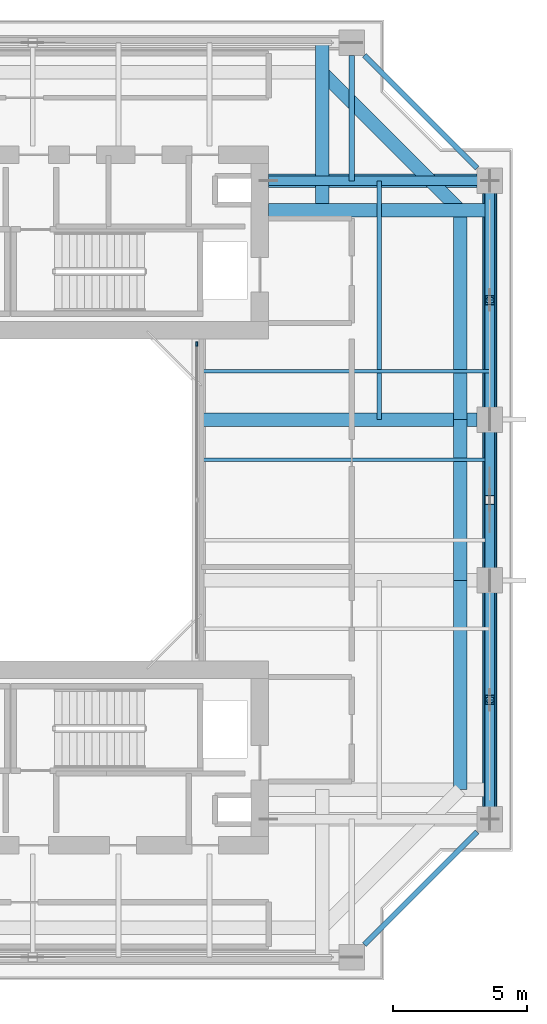
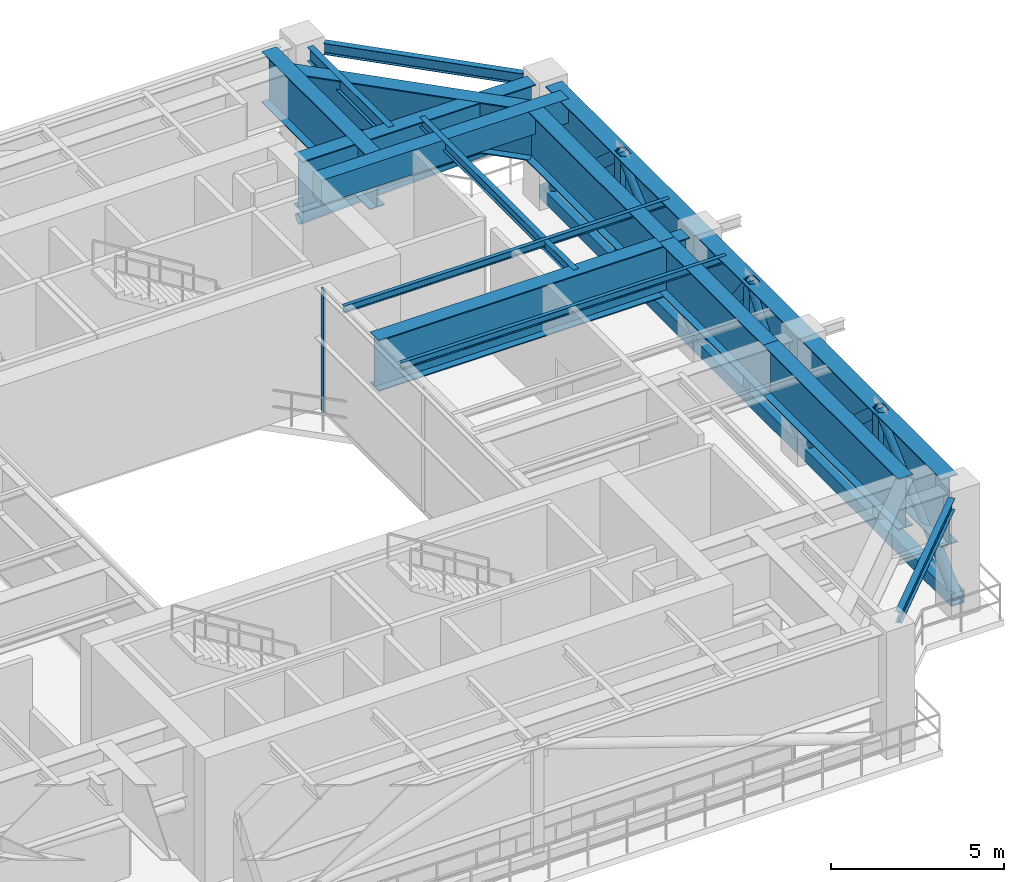
# One storey, part 4 of 11: 15 beams, 14 members, 1 element without a shape of its own.
"""IFC4 building model written with IfcOpenShell, lengths in metres."""

from ifc_helpers import new_model, si_unit, direction, frame, origin, origin_2d, place, context, subcontext, project, spatial, rectangle, hollow_rectangle, hollow_circle, i_section, extrude, source, transform, mapped, material, layer, layer_set, material_profile, profile_set, type_object, element, aggregate, save


model = new_model("IFC4")

# Units and contexts
model_context = context("Model", 3, precision=1e-05, world=origin(), true_north=direction((0.0, 1.0)))
body_context = subcontext(model_context, "Body", "Model", "MODEL_VIEW")
ifc_project = project(units=[si_unit("LENGTHUNIT", "METRE"), si_unit("AREAUNIT", "SQUARE_METRE"), si_unit("VOLUMEUNIT", "CUBIC_METRE"), si_unit("PLANEANGLEUNIT", "RADIAN"), si_unit("MASSUNIT", "GRAM", prefix="KILO"), si_unit("THERMODYNAMICTEMPERATUREUNIT", "KELVIN"), si_unit("POWERUNIT", "WATT")], contexts=[model_context])

# Site, building, storey
site_placement = place(None, origin())
site = spatial("IfcSite", under=ifc_project, at=site_placement, CompositionType="ELEMENT")
building_placement = place(site_placement, origin())
building = spatial("IfcBuilding", under=site, at=building_placement, Name="Qiaomeng Ring Towers", CompositionType="ELEMENT")
storey_placement = place(building_placement, frame((0.0, 0.0, 186.0)))
storey = spatial("IfcBuildingStorey", under=building, at=storey_placement, Name="L54", CompositionType="ELEMENT", Elevation=186.0)

# Members
ifc_material_1 = material(Name="Steel Q390GJC", Category="steel")
ifc_material_profile_1 = material_profile(ifc_material_1, hollow_rectangle(XDim=0.35009765625, YDim=0.35009765625, WallThickness=0.02001953125, at=origin_2d()), Name="SHS 350x350x20")
ifc_profile_set_1 = profile_set([ifc_material_profile_1], Name="Steel Q390GJC")
member_type_1 = type_object("IfcMemberType", Name="STR-MB-POST-350", PredefinedType="POST", material=ifc_profile_set_1)
shared_shape_1 = source(origin(), body_context, "Body", "SweptSolid", [
    extrude(hollow_rectangle(XDim=0.35009765625, YDim=0.35009765625, WallThickness=0.02001953125, at=origin_2d()), origin(), (0.0, 0.0, 1.0), 4.0),
])
for number, where, z_axis, x_axis, name in (
    (1, (36.050048828125, 15.550048828125, 0.320068359375), (0.0, 0.0, 1.0), (1.0, 0.0, 0.0), "L54 Belt Truss Post E1-E2"),
    (2, (36.050048828125, 23.0, 0.320068359375), (0.0, 0.0, 1.0), (1.0, 0.0, 0.0), "L54 Belt Truss Post E2-E3"),
    (3, (36.050048828125, 30.449951171875, 0.320068359375), (0.0, 0.0, 1.0), (1.0, 0.0, 0.0), "L54 Belt Truss Post E3-E4"),
):
    element("IfcMember", number, at=place(storey_placement, frame(where, z_axis=z_axis, x_axis=x_axis)), inside=storey, type_object=member_type_1, Name=name, PredefinedType="POST", context=body_context, shape_type="MappedRepresentation", body=[
        mapped(shared_shape_1, transform((0.0, 0.0, 0.0), x_axis=(1.0, 0.0, 0.0), y_axis=(0.0, 1.0, 0.0), z_axis=(0.0, 0.0, 1.0), scale=1.0)),
    ])

# Beams
ifc_material_profile_2 = material_profile(ifc_material_1, i_section(OverallWidth=0.5, OverallDepth=1.800048828125, WebThickness=0.02392578125, FlangeThickness=0.035888671875, at=origin_2d()), Name="WH 1800x500x24x36")
ifc_profile_set_2 = profile_set([ifc_material_profile_2], Name="Steel Q390GJC")
beam_type_1 = type_object("IfcBeamType", Name="STR-TG-WH1800", PredefinedType="USERDEFINED", material=ifc_profile_set_2)
shared_shape_2 = source(origin(), body_context, "Body", "SweptSolid", [
    extrude(i_section(OverallWidth=0.5, OverallDepth=1.800048828125, WebThickness=0.02392578125, FlangeThickness=0.035888671875, at=origin_2d()), origin(), (0.0, 0.0, 1.0), 6.0),
])
beam_1_placement = place(storey_placement, frame((34.949951171875, 20.0, 3.419921875), z_axis=(0.0, 1.0, 0.0), x_axis=(-1.0, 0.0, 0.0)))
element("IfcBeam", 4, at=beam_1_placement, inside=storey, type_object=beam_type_1, Name="L54 Transfer Girder STR-TG3-L54-E2-E3", ObjectType="TRANSFER GIRDER", PredefinedType="USERDEFINED", context=body_context, shape_type="MappedRepresentation", body=[
    mapped(shared_shape_2, transform((0.0, 0.0, 0.0), x_axis=(1.0, 0.0, 0.0), y_axis=(0.0, 1.0, 0.0), z_axis=(0.0, 0.0, 1.0), scale=1.0)),
])
ifc_material_2 = material(Name="Steel Q355B", Category="steel")
ifc_material_profile_3 = material_profile(ifc_material_2, i_section(OverallWidth=0.125, OverallDepth=0.25, WebThickness=0.006103515625, FlangeThickness=0.009033203125, FilletRadius=0.011962890625, at=origin_2d()), Name="HN 250x125x6x9")
ifc_profile_set_3 = profile_set([ifc_material_profile_3], Name="Steel Q355B")
beam_type_2 = type_object("IfcBeamType", Name="STR-BM-HN250", PredefinedType="JOIST", material=ifc_profile_set_3)
shared_shape_3 = source(origin(), body_context, "Body", "SweptSolid", [
    extrude(i_section(OverallWidth=0.125, OverallDepth=0.25, WebThickness=0.006103515625, FlangeThickness=0.009033203125, FilletRadius=0.011962890625, at=origin_2d()), origin(), (0.0, 0.0, 1.0), 10.85009765625),
])
for number, where, z_axis, x_axis, name in (
    (5, (25.199951171875, 24.5, 4.195068359375), (1.0, 0.0, 0.0), (0.0, 1.0, 0.0), "L54 beam STR-JST-L54-T1E-3"),
    (6, (25.199951171875, 27.800048828125, 4.195068359375), (1.0, 0.0, 0.0), (0.0, 1.0, 0.0), "L54 beam STR-JST-L54-T1E-4"),
):
    element("IfcBeam", number, at=place(storey_placement, frame(where, z_axis=z_axis, x_axis=x_axis)), inside=storey, type_object=beam_type_2, Name=name, PredefinedType="JOIST", context=body_context, shape_type="MappedRepresentation", body=[
        mapped(shared_shape_3, transform((0.0, 0.0, 0.0), x_axis=(1.0, 0.0, 0.0), y_axis=(0.0, 1.0, 0.0), z_axis=(0.0, 0.0, 1.0), scale=1.0)),
    ])
ifc_material_profile_4 = material_profile(ifc_material_2, i_section(OverallWidth=0.175048828125, OverallDepth=0.35009765625, WebThickness=0.007080078125, FlangeThickness=0.010986328125, FilletRadius=0.013916015625, at=origin_2d()), Name="HN 350x175x7x11")
ifc_profile_set_4 = profile_set([ifc_material_profile_4], Name="Steel Q355B")
beam_type_3 = type_object("IfcBeamType", Name="STR-BM-HN350", PredefinedType="JOIST", material=ifc_profile_set_4)
shared_shape_4 = source(origin(), body_context, "Body", "SweptSolid", [
    extrude(i_section(OverallWidth=0.175048828125, OverallDepth=0.35009765625, WebThickness=0.007080078125, FlangeThickness=0.010986328125, FilletRadius=0.013916015625, at=origin_2d()), origin(), (0.0, 0.0, 1.0), 8.89990234375),
])
beam_2_placement = place(storey_placement, frame((31.925048828125, 26.0, 4.14501953125), z_axis=(0.0, 1.0, 0.0), x_axis=(-1.0, 0.0, 0.0)))
element("IfcBeam", 7, at=beam_2_placement, inside=storey, type_object=beam_type_3, Name="L54 beam STR-JST-L54-T1C-EN", PredefinedType="JOIST", context=body_context, shape_type="MappedRepresentation", body=[
    mapped(shared_shape_4, transform((0.0, 0.0, 0.0), x_axis=(1.0, 0.0, 0.0), y_axis=(0.0, 1.0, 0.0), z_axis=(0.0, 0.0, 1.0), scale=1.0)),
])
ifc_material_3 = material(Name="Concrete C50", Category="concrete")
ifc_material_profile_5 = material_profile(ifc_material_3, rectangle(XDim=0.5, YDim=0.85009765625, at=origin_2d()), Name="RC BM 500x850")
ifc_profile_set_5 = profile_set([ifc_material_profile_5], Name="Concrete C50")
beam_type_4 = type_object("IfcBeamType", Name="STR-BM-RC850", PredefinedType="LINTEL", material=ifc_profile_set_5)
shared_shape_5 = source(origin(), body_context, "Body", "SweptSolid", [
    extrude(rectangle(XDim=0.5, YDim=0.85009765625, at=origin_2d()), origin(), (0.0, 0.0, 1.0), 8.25),
])
beam_3_placement = place(storey_placement, frame((27.800048828125, 33.800048828125, 3.89501953125), z_axis=(1.0, 0.0, 0.0), x_axis=(0.0, 1.0, 0.0)))
element("IfcBeam", 8, at=beam_3_placement, inside=storey, type_object=beam_type_4, Name="L54 beam STR-CB-L54-T1N", PredefinedType="LINTEL", context=body_context, shape_type="MappedRepresentation", body=[
    mapped(shared_shape_5, transform((0.0, 0.0, 0.0), x_axis=(1.0, 0.0, 0.0), y_axis=(0.0, 1.0, 0.0), z_axis=(0.0, 0.0, 1.0), scale=1.0)),
])

# Members
ifc_material_profile_6 = material_profile(ifc_material_1, hollow_circle(Radius=0.177978515625, WallThickness=0.02001953125, at=origin_2d()), Name="CHS 356x20")
ifc_profile_set_6 = profile_set([ifc_material_profile_6], Name="Steel Q390GJC")
member_type_2 = type_object("IfcMemberType", Name="STR-MB-BR-356", PredefinedType="BRACE", material=ifc_profile_set_6)
shared_shape_6 = source(origin(), body_context, "Body", "SweptSolid", [
    extrude(hollow_circle(Radius=0.177978515625, WallThickness=0.02001953125, at=origin_2d()), origin(), (0.0, 0.0, 1.0), 5.97021484375),
])
for number, where, z_axis, x_axis, name in (
    (9, (36.050048828125, 11.10009765625, 0.320068359375), (0.0, 0.745370712537, 0.666650208799), (-1.0, 0.0, 0.0), "L54 Belt Truss Diagonal E1-M"),
    (10, (36.050048828125, 20.0, 0.320068359375), (0.0, -0.745370712537, 0.666650208799), (1.0, 0.0, 0.0), "L54 Belt Truss Diagonal E2-M"),
    (11, (36.050048828125, 26.0, 0.320068359375), (0.0, 0.745370712537, 0.666650208799), (-1.0, 0.0, 0.0), "L54 Belt Truss Diagonal E3-M"),
    (12, (36.050048828125, 34.89990234375, 0.320068359375), (0.0, -0.745370712537, 0.666650208799), (1.0, 0.0, 0.0), "L54 Belt Truss Diagonal E4-M"),
):
    element("IfcMember", number, at=place(storey_placement, frame(where, z_axis=z_axis, x_axis=x_axis)), inside=storey, type_object=member_type_2, Name=name, PredefinedType="BRACE", context=body_context, shape_type="MappedRepresentation", body=[
        mapped(shared_shape_6, transform((0.0, 0.0, 0.0), x_axis=(1.0, 0.0, 0.0), y_axis=(0.0, 1.0, 0.0), z_axis=(0.0, 0.0, 1.0), scale=1.0)),
    ])
shared_shape_7 = source(origin(), body_context, "Body", "SweptSolid", [
    extrude(hollow_circle(Radius=0.177978515625, WallThickness=0.02001953125, at=origin_2d()), origin(), (0.0, 0.0, 1.0), 4.98388671875),
])
for number, where, z_axis, x_axis, name in (
    (13, (36.050048828125, 20.0, 0.320068359375), (0.0, 0.601926302674, 0.798551642757), (-1.0, 0.0, 0.0), "L54 Belt Truss Diagonal E2-M"),
    (14, (36.050048828125, 26.0, 0.320068359375), (0.0, -0.601926302674, 0.798551642757), (1.0, 0.0, 0.0), "L54 Belt Truss Diagonal E3-M"),
):
    element("IfcMember", number, at=place(storey_placement, frame(where, z_axis=z_axis, x_axis=x_axis)), inside=storey, type_object=member_type_2, Name=name, PredefinedType="BRACE", context=body_context, shape_type="MappedRepresentation", body=[
        mapped(shared_shape_7, transform((0.0, 0.0, 0.0), x_axis=(1.0, 0.0, 0.0), y_axis=(0.0, 1.0, 0.0), z_axis=(0.0, 0.0, 1.0), scale=1.0)),
    ])

# Beams
ifc_material_profile_7 = material_profile(ifc_material_2, i_section(OverallWidth=0.199951171875, OverallDepth=0.39990234375, WebThickness=0.008056640625, FlangeThickness=0.012939453125, FilletRadius=0.01611328125, at=origin_2d()), Name="HN 400x200x8x13")
ifc_profile_set_7 = profile_set([ifc_material_profile_7], Name="Steel Q355B")
beam_type_5 = type_object("IfcBeamType", Name="STR-BM-HN400", PredefinedType="SPANDREL", material=ifc_profile_set_7)
shared_shape_8 = source(origin(), body_context, "Body", "SweptSolid", [
    extrude(i_section(OverallWidth=0.199951171875, OverallDepth=0.39990234375, WebThickness=0.008056640625, FlangeThickness=0.012939453125, FilletRadius=0.01611328125, at=origin_2d()), origin(), (0.0, 0.0, 1.0), 5.941650390625),
])
for number, where, z_axis, x_axis, name in (
    (15, (31.374267578125, 6.42431640625, 4.1201171875), (0.707106781187, 0.707106781187, 0.0), (-0.707106781187, 0.707106781187, 0.0), "L54 beam STR-SP-L54-T1-S2-E1"),
    (16, (35.57568359375, 35.374267578125, 4.1201171875), (-0.707106781187, 0.707106781187, 0.0), (-0.707106781187, -0.707106781187, 0.0), "L54 beam STR-SP-L54-T1-E4-N2"),
):
    element("IfcBeam", number, at=place(storey_placement, frame(where, z_axis=z_axis, x_axis=x_axis)), inside=storey, type_object=beam_type_5, Name=name, PredefinedType="SPANDREL", context=body_context, shape_type="MappedRepresentation", body=[
        mapped(shared_shape_8, transform((0.0, 0.0, 0.0), x_axis=(1.0, 0.0, 0.0), y_axis=(0.0, 1.0, 0.0), z_axis=(0.0, 0.0, 1.0), scale=1.0)),
    ])
ifc_material_profile_8 = material_profile(ifc_material_2, i_section(OverallWidth=0.199951171875, OverallDepth=0.5, WebThickness=0.010009765625, FlangeThickness=0.01611328125, FilletRadius=0.02001953125, at=origin_2d()), Name="HN 500x200x10x16")
ifc_profile_set_8 = profile_set([ifc_material_profile_8], Name="Steel Q355B")
beam_type_6 = type_object("IfcBeamType", Name="STR-BM-HN500", PredefinedType="BEAM", material=ifc_profile_set_8)
shared_shape_9 = source(origin(), body_context, "Body", "SweptSolid", [
    extrude(i_section(OverallWidth=0.199951171875, OverallDepth=0.5, WebThickness=0.010009765625, FlangeThickness=0.01611328125, FilletRadius=0.02001953125, at=origin_2d()), origin(), (0.0, 0.0, 1.0), 4.676025390625),
])
beam_4_placement = place(storey_placement, frame((30.89990234375, 39.575927734375, 4.070068359375), z_axis=(0.0, -1.0, 0.0), x_axis=(1.0, 0.0, 0.0)))
element("IfcBeam", 17, at=beam_4_placement, inside=storey, type_object=beam_type_6, Name="L54 beam STR-BM-L54-T1-RAD-N2", PredefinedType="BEAM", context=body_context, shape_type="MappedRepresentation", body=[
    mapped(shared_shape_9, transform((0.0, 0.0, 0.0), x_axis=(1.0, 0.0, 0.0), y_axis=(0.0, 1.0, 0.0), z_axis=(0.0, 0.0, 1.0), scale=1.0)),
])
ifc_material_profile_9 = material_profile(ifc_material_1, i_section(OverallWidth=0.550048828125, OverallDepth=2.39990234375, WebThickness=0.02587890625, FlangeThickness=0.035888671875, at=origin_2d()), Name="WH 2400x550x26x36")
ifc_profile_set_9 = profile_set([ifc_material_profile_9], Name="Steel Q390GJC")
beam_type_7 = type_object("IfcBeamType", Name="STR-TG-WH2400", PredefinedType="USERDEFINED", material=ifc_profile_set_9)
shared_shape_10 = source(origin(), body_context, "Body", "SweptSolid", [
    extrude(i_section(OverallWidth=0.550048828125, OverallDepth=2.39990234375, WebThickness=0.02587890625, FlangeThickness=0.035888671875, at=origin_2d()), origin(), (0.0, 0.0, 1.0), 22.85205078125),
])
beam_5_placement = place(storey_placement, frame((36.050048828125, 11.573974609375, 3.1201171875), z_axis=(0.0, 1.0, 0.0), x_axis=(-1.0, 0.0, 0.0)))
element("IfcBeam", 18, at=beam_5_placement, inside=storey, type_object=beam_type_7, Name="L54 Transfer Girder STR-TG2-L54-OUT-E", ObjectType="TRANSFER GIRDER", PredefinedType="USERDEFINED", context=body_context, shape_type="MappedRepresentation", body=[
    mapped(shared_shape_10, transform((0.0, 0.0, 0.0), x_axis=(1.0, 0.0, 0.0), y_axis=(0.0, 1.0, 0.0), z_axis=(0.0, 0.0, 1.0), scale=1.0)),
])
shared_shape_11 = source(origin(), body_context, "Body", "SweptSolid", [
    extrude(i_section(OverallWidth=0.5, OverallDepth=1.800048828125, WebThickness=0.02392578125, FlangeThickness=0.035888671875, at=origin_2d()), origin(), (0.0, 0.0, 1.0), 7.77587890625),
])
beam_6_placement = place(storey_placement, frame((27.800048828125, 34.89990234375, 3.419921875), z_axis=(1.0, 0.0, 0.0), x_axis=(0.0, 1.0, 0.0)))
element("IfcBeam", 19, at=beam_6_placement, inside=storey, type_object=beam_type_1, Name="L54 Transfer Girder STR-TG2-L54-E4-CUR", ObjectType="TRANSFER GIRDER", PredefinedType="USERDEFINED", context=body_context, shape_type="MappedRepresentation", body=[
    mapped(shared_shape_11, transform((0.0, 0.0, 0.0), x_axis=(1.0, 0.0, 0.0), y_axis=(0.0, 1.0, 0.0), z_axis=(0.0, 0.0, 1.0), scale=1.0)),
])
shared_shape_12 = source(origin(), body_context, "Body", "SweptSolid", [
    extrude(i_section(OverallWidth=0.5, OverallDepth=1.800048828125, WebThickness=0.02392578125, FlangeThickness=0.035888671875, at=origin_2d()), origin(), (0.0, 0.0, 1.0), 10.3759765625),
])
beam_7_placement = place(storey_placement, frame((25.199951171875, 26.0, 3.419921875), z_axis=(1.0, 0.0, 0.0), x_axis=(0.0, 1.0, 0.0)))
element("IfcBeam", 20, at=beam_7_placement, inside=storey, type_object=beam_type_1, Name="L54 Transfer Girder STR-TG2-L54-E3", ObjectType="TRANSFER GIRDER", PredefinedType="USERDEFINED", context=body_context, shape_type="MappedRepresentation", body=[
    mapped(shared_shape_12, transform((0.0, 0.0, 0.0), x_axis=(1.0, 0.0, 0.0), y_axis=(0.0, 1.0, 0.0), z_axis=(0.0, 0.0, 1.0), scale=1.0)),
])
shared_shape_13 = source(origin(), body_context, "Body", "SweptSolid", [
    extrude(i_section(OverallWidth=0.5, OverallDepth=1.800048828125, WebThickness=0.02392578125, FlangeThickness=0.035888671875, at=origin_2d()), origin(), (0.0, 0.0, 1.0), 6.25),
])
beam_8_placement = place(storey_placement, frame((29.800048828125, 40.050048828125, 3.419921875), z_axis=(0.0, -1.0, 0.0), x_axis=(1.0, 0.0, 0.0)))
element("IfcBeam", 21, at=beam_8_placement, inside=storey, type_object=beam_type_1, Name="L54 Transfer Girder STR-TG2-L54-N2", ObjectType="TRANSFER GIRDER", PredefinedType="USERDEFINED", context=body_context, shape_type="MappedRepresentation", body=[
    mapped(shared_shape_13, transform((0.0, 0.0, 0.0), x_axis=(1.0, 0.0, 0.0), y_axis=(0.0, 1.0, 0.0), z_axis=(0.0, 0.0, 1.0), scale=1.0)),
])
shared_shape_14 = source(origin(), body_context, "Body", "SweptSolid", [
    extrude(i_section(OverallWidth=0.5, OverallDepth=1.800048828125, WebThickness=0.02392578125, FlangeThickness=0.035888671875, at=origin_2d()), origin(), (0.0, 0.0, 1.0), 7.282958984375),
])
beam_9_placement = place(storey_placement, frame((34.949951171875, 33.800048828125, 3.419921875), z_axis=(-0.707106781187, 0.707106781187, 0.0), x_axis=(-0.707106781187, -0.707106781187, 0.0)))
element("IfcBeam", 22, at=beam_9_placement, inside=storey, type_object=beam_type_1, Name="L54 Transfer Girder STR-TG3-L54-E4-N2", ObjectType="TRANSFER GIRDER", PredefinedType="USERDEFINED", context=body_context, shape_type="MappedRepresentation", body=[
    mapped(shared_shape_14, transform((0.0, 0.0, 0.0), x_axis=(1.0, 0.0, 0.0), y_axis=(0.0, 1.0, 0.0), z_axis=(0.0, 0.0, 1.0), scale=1.0)),
])
shared_shape_15 = source(origin(), body_context, "Body", "SweptSolid", [
    extrude(i_section(OverallWidth=0.5, OverallDepth=1.800048828125, WebThickness=0.02392578125, FlangeThickness=0.035888671875, at=origin_2d()), origin(), (0.0, 0.0, 1.0), 7.800048828125),
])
for number, where, z_axis, x_axis, name in (
    (23, (34.949951171875, 12.199951171875, 3.419921875), (0.0, 1.0, 0.0), (-1.0, 0.0, 0.0), "L54 Transfer Girder STR-TG3-L54-E1-E2"),
    (24, (34.949951171875, 26.0, 3.419921875), (0.0, 1.0, 0.0), (-1.0, 0.0, 0.0), "L54 Transfer Girder STR-TG3-L54-E3-E4"),
):
    element("IfcBeam", number, at=place(storey_placement, frame(where, z_axis=z_axis, x_axis=x_axis)), inside=storey, type_object=beam_type_1, Name=name, ObjectType="TRANSFER GIRDER", PredefinedType="USERDEFINED", context=body_context, shape_type="MappedRepresentation", body=[
        mapped(shared_shape_15, transform((0.0, 0.0, 0.0), x_axis=(1.0, 0.0, 0.0), y_axis=(0.0, 1.0, 0.0), z_axis=(0.0, 0.0, 1.0), scale=1.0)),
    ])

# Members
ifc_material_profile_10 = material_profile(ifc_material_1, hollow_rectangle(XDim=0.449951171875, YDim=0.449951171875, WallThickness=0.028076171875, at=origin_2d()), Name="SHS 450x450x28")
ifc_profile_set_10 = profile_set([ifc_material_profile_10], Name="Steel Q390GJC")
member_type_3 = type_object("IfcMemberType", Name="STR-MB-CHORD-450", PredefinedType="CHORD", material=ifc_profile_set_10)
shared_shape_16 = source(origin(), body_context, "Body", "SweptSolid", [
    extrude(hollow_rectangle(XDim=0.449951171875, YDim=0.449951171875, WallThickness=0.028076171875, at=origin_2d()), origin(), (0.0, 0.0, 1.0), 8.89990234375),
])
for number, where, z_axis, x_axis, name in (
    (25, (36.050048828125, 11.10009765625, 0.320068359375), (0.0, 1.0, 0.0), (-1.0, 0.0, 0.0), "L54 Belt Truss Bottom Chord E1-E2"),
    (26, (36.050048828125, 26.0, 0.320068359375), (0.0, 1.0, 0.0), (-1.0, 0.0, 0.0), "L54 Belt Truss Bottom Chord E3-E4"),
):
    element("IfcMember", number, at=place(storey_placement, frame(where, z_axis=z_axis, x_axis=x_axis)), inside=storey, type_object=member_type_3, Name=name, PredefinedType="CHORD", context=body_context, shape_type="MappedRepresentation", body=[
        mapped(shared_shape_16, transform((0.0, 0.0, 0.0), x_axis=(1.0, 0.0, 0.0), y_axis=(0.0, 1.0, 0.0), z_axis=(0.0, 0.0, 1.0), scale=1.0)),
    ])
shared_shape_17 = source(origin(), body_context, "Body", "SweptSolid", [
    extrude(hollow_rectangle(XDim=0.449951171875, YDim=0.449951171875, WallThickness=0.028076171875, at=origin_2d()), origin(), (0.0, 0.0, 1.0), 6.0),
])
member_1_placement = place(storey_placement, frame((36.050048828125, 20.0, 0.320068359375), z_axis=(0.0, 1.0, 0.0), x_axis=(-1.0, 0.0, 0.0)))
element("IfcMember", 27, at=member_1_placement, inside=storey, type_object=member_type_3, Name="L54 Belt Truss Bottom Chord E2-E3", PredefinedType="CHORD", context=body_context, shape_type="MappedRepresentation", body=[
    mapped(shared_shape_17, transform((0.0, 0.0, 0.0), x_axis=(1.0, 0.0, 0.0), y_axis=(0.0, 1.0, 0.0), z_axis=(0.0, 0.0, 1.0), scale=1.0)),
])
shared_shape_18 = source(origin(), body_context, "Body", "SweptSolid", [
    extrude(hollow_circle(Radius=0.177978515625, WallThickness=0.02001953125, at=origin_2d()), origin(), (0.0, 0.0, 1.0), 8.25732421875),
])
member_2_placement = place(storey_placement, frame((27.800048828125, 34.89990234375, 2.14990234375), z_axis=(0.999100803863, 0.0, 0.042397921187), x_axis=(0.0, 1.0, 0.0)))
element("IfcMember", 28, at=member_2_placement, inside=storey, type_object=member_type_2, Name="L54 Core Outrigger Truss Diagonal E4", PredefinedType="BRACE", context=body_context, shape_type="MappedRepresentation", body=[
    mapped(shared_shape_18, transform((0.0, 0.0, 0.0), x_axis=(1.0, 0.0, 0.0), y_axis=(0.0, 1.0, 0.0), z_axis=(0.0, 0.0, 1.0), scale=1.0)),
])

# Curtain wall, member
ifc_material_4 = material(Name="Fluorocarbon dark-grey aluminium", Category="aluminium")
ifc_layer = layer(ifc_material_4, 0.139892578125, Name="Fluorocarbon dark-grey aluminium")
ifc_layer_set = layer_set([ifc_layer], Name="Fluorocarbon dark-grey aluminium")
curtain_wall_type = type_object("IfcCurtainWallType", Name="ARC-CW-4", PredefinedType="NOTDEFINED", material=ifc_layer_set)
curtain_wall_placement = place(storey_placement, origin())
curtain_wall = element("IfcCurtainWall", 29, at=curtain_wall_placement, inside=storey, type_object=curtain_wall_type, Name="L54 Curtain Wall CW4", PredefinedType="NOTDEFINED")
ifc_material_profile_11 = material_profile(ifc_material_4, rectangle(XDim=0.06494140625, YDim=0.159912109375, at=origin_2d()), Name="ALU MULL 65x160")
ifc_profile_set_11 = profile_set([ifc_material_profile_11], Name="Fluorocarbon dark-grey aluminium")
member_type_4 = type_object("IfcMemberType", Name="ARC-CWM-140", PredefinedType="MULLION", material=ifc_profile_set_11)
shared_shape_19 = source(origin(), body_context, "Body", "SweptSolid", [
    extrude(rectangle(XDim=0.06494140625, YDim=0.159912109375, at=origin_2d()), origin(), (0.0, 0.0, 1.0), 4.320068359375),
])
member_3_placement = place(storey_placement, frame((25.1201171875, 28.8173828125, 0.0), z_axis=(0.0, 0.0, 1.0), x_axis=(-1.0, 0.0, 0.0)))
member_3 = element("IfcMember", 30, at=member_3_placement, type_object=member_type_4, Name="CW4 mullion 3", PredefinedType="MULLION", context=body_context, shape_type="MappedRepresentation", body=[
    mapped(shared_shape_19, transform((0.0, 0.0, 0.0), x_axis=(1.0, 0.0, 0.0), y_axis=(0.0, 1.0, 0.0), z_axis=(0.0, 0.0, 1.0), scale=1.0)),
])
aggregate(curtain_wall, [member_3])

save(model, "model.ifc")
